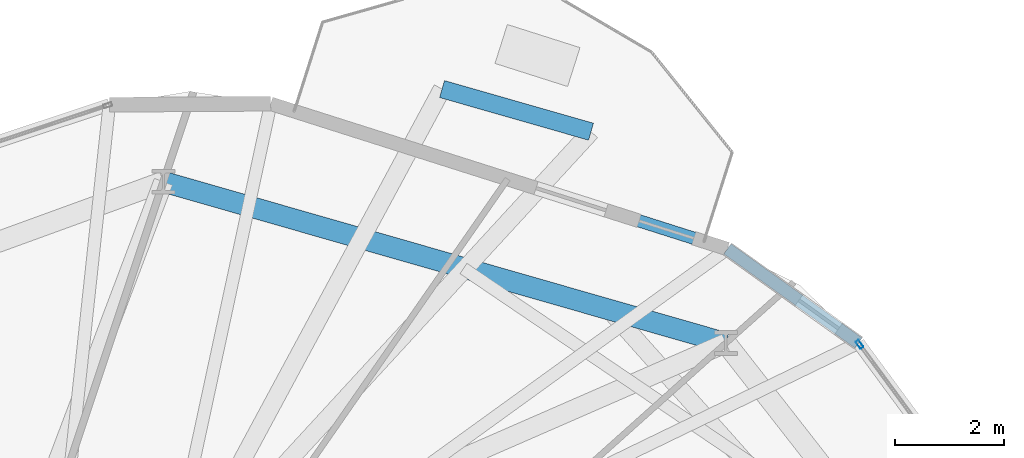
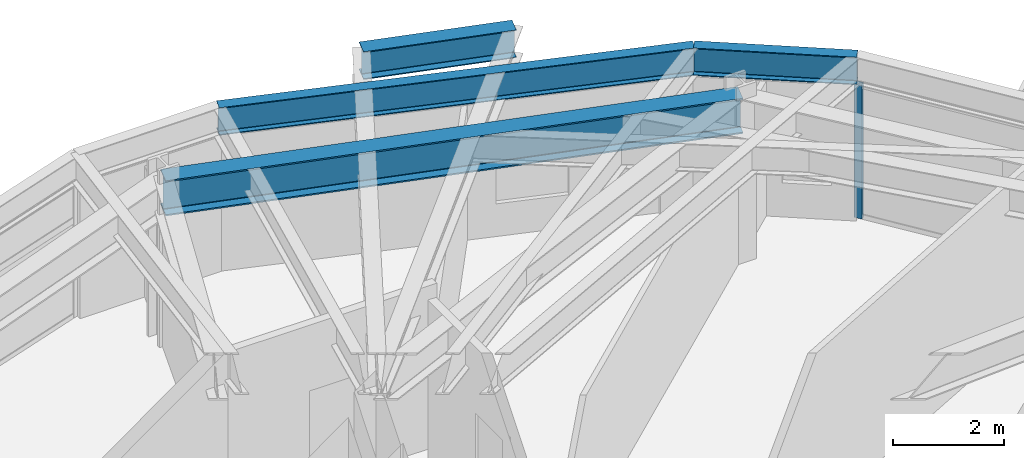
# One storey, part 19 of 27: 4 beams, 1 member, 1 element without a shape of its own.
"""IFC4 building model written with IfcOpenShell, lengths in metres."""

from ifc_helpers import new_model, si_unit, direction, frame, origin, origin_2d, place, context, subcontext, project, spatial, hollow_rectangle, i_section, extrude, material, layer, layer_set, material_profile, profile_set, type_object, element, aggregate, save


model = new_model("IFC4")

# Units and contexts
model_context = context("Model", 3, precision=1e-05, world=origin(), true_north=direction((0.0, 1.0)))
body_context = subcontext(model_context, "Body", "Model", "MODEL_VIEW")
ifc_project = project(units=[si_unit("LENGTHUNIT", "METRE"), si_unit("AREAUNIT", "SQUARE_METRE"), si_unit("VOLUMEUNIT", "CUBIC_METRE"), si_unit("PLANEANGLEUNIT", "RADIAN"), si_unit("MASSUNIT", "GRAM", prefix="KILO")], contexts=[model_context])

# Site, building, storey
site_placement = place(None, origin())
site = spatial("IfcSite", under=ifc_project, at=site_placement, CompositionType="ELEMENT")
building_placement = place(site_placement, origin())
building = spatial("IfcBuilding", under=site, at=building_placement, Name="Soratama Intermodal Tower", CompositionType="ELEMENT")
storey_placement = place(building_placement, frame((0.0, 0.0, 99.10009765625)))
storey = spatial("IfcBuildingStorey", under=building, at=storey_placement, Name="L23", CompositionType="ELEMENT", Elevation=99.10009765625)

# Beams
ifc_material_1 = material(Name="Structural steel ASTM A992 Grade 50", Category="steel")
ifc_material_profile_1 = material_profile(ifc_material_1, i_section(OverallWidth=0.324951171875, OverallDepth=0.615966796875, WebThickness=0.013916015625, FlangeThickness=0.021484375, FilletRadius=0.013916015625, at=origin_2d()), Name="W24X117")
ifc_profile_set_1 = profile_set([ifc_material_profile_1], Name="Structural steel ASTM A992 Grade 50")
beam_type_1 = type_object("IfcBeamType", Name="BM-CANT-W24X117", PredefinedType="BEAM", material=ifc_profile_set_1)
beam_1_placement = place(storey_placement, frame((52.2509765625, 43.30908203125, 3.2919921875), z_axis=(-0.961345773708, 0.275343972828, 0.0), x_axis=(-0.275343972828, -0.961345773708, 0.0)))
element("IfcBeam", 1, at=beam_1_placement, inside=storey, type_object=beam_type_1, Name="BM-L23-CBHDR-2", PredefinedType="BEAM", context=body_context, shape_type="SweptSolid", body=[
    extrude(i_section(OverallWidth=0.324951171875, OverallDepth=0.615966796875, WebThickness=0.013916015625, FlangeThickness=0.021484375, FilletRadius=0.013916015625, at=origin_2d()), origin(), (0.0, 0.0, 1.0), 2.84716796875),
])
ifc_material_2 = material(Name="Structural steel ASTM A992 Grade 50", Category="steel")
ifc_material_profile_2 = material_profile(ifc_material_2, i_section(OverallWidth=0.382080078125, OverallDepth=0.779052734375, WebThickness=0.01806640625, FlangeThickness=0.030029296875, FilletRadius=0.01806640625, at=origin_2d()), Name="W30X191")
ifc_profile_set_2 = profile_set([ifc_material_profile_2], Name="Structural steel ASTM A992 Grade 50")
beam_type_2 = type_object("IfcBeamType", Name="BM-RING-W30X191", PredefinedType="BEAM", material=ifc_profile_set_2)
beam_2_placement = place(storey_placement, frame((54.72998046875, 39.425048828125, 3.21044921875), z_axis=(-0.961266505995, 0.275620580604, 0.0), x_axis=(-0.275620580604, -0.961266505995, 0.0)))
element("IfcBeam", 2, at=beam_2_placement, inside=storey, type_object=beam_type_2, Name="BM-L23-RING-02", PredefinedType="BEAM", context=body_context, shape_type="SweptSolid", body=[
    extrude(i_section(OverallWidth=0.382080078125, OverallDepth=0.779052734375, WebThickness=0.01806640625, FlangeThickness=0.030029296875, FilletRadius=0.01806640625, at=origin_2d()), origin(), (0.0, 0.0, 1.0), 10.75341796875),
])
ifc_material_3 = material(Name="Structural steel ASTM A992 Grade 50", Category="steel")
ifc_material_profile_3 = material_profile(ifc_material_3, i_section(OverallWidth=0.22900390625, OverallDepth=0.612060546875, WebThickness=0.011962890625, FlangeThickness=0.01953125, FilletRadius=0.012939453125, at=origin_2d()), Name="W24X84")
ifc_profile_set_3 = profile_set([ifc_material_profile_3], Name="Structural steel ASTM A992 Grade 50")
beam_type_3 = type_object("IfcBeamType", Name="BM-SPN-W24X84", PredefinedType="SPANDREL", material=ifc_profile_set_3)
beam_3_placement = place(storey_placement, frame((57.16796875, 39.426025390625, 3.2939453125), z_axis=(-0.812513671517, 0.582942135719, 0.0), x_axis=(-0.582942135719, -0.812513671517, 0.0)))
element("IfcBeam", 3, at=beam_3_placement, inside=storey, type_object=beam_type_3, Name="BS-L23-CRN01", PredefinedType="SPANDREL", context=body_context, shape_type="SweptSolid", body=[
    extrude(i_section(OverallWidth=0.22900390625, OverallDepth=0.612060546875, WebThickness=0.011962890625, FlangeThickness=0.01953125, FilletRadius=0.012939453125, at=origin_2d()), origin(), (0.0, 0.0, 1.0), 2.966064453125),
])
beam_4_placement = place(storey_placement, frame((54.758056640625, 41.155029296875, 3.2939453125), z_axis=(-0.953009480265, 0.302940473568, 0.0), x_axis=(-0.302940473568, -0.953009480265, 0.0)))
element("IfcBeam", 4, at=beam_4_placement, inside=storey, type_object=beam_type_3, Name="BS-L23-F02", PredefinedType="SPANDREL", context=body_context, shape_type="SweptSolid", body=[
    extrude(i_section(OverallWidth=0.22900390625, OverallDepth=0.612060546875, WebThickness=0.011962890625, FlangeThickness=0.01953125, FilletRadius=0.012939453125, at=origin_2d()), origin(), (0.0, 0.0, 1.0), 8.806884765625),
])

# Curtain wall, member
ifc_material_4 = material(Name="Double-glazed aluminium curtain wall", Category="aluminium")
ifc_layer = layer(ifc_material_4, 0.159912109375)
ifc_layer_set = layer_set([ifc_layer], Name="Double-glazed aluminium curtain wall")
curtain_wall_type = type_object("IfcCurtainWallType", Name="CW-SYS-3", PredefinedType="NOTDEFINED", material=ifc_layer_set)
curtain_wall_placement = place(storey_placement, origin())
curtain_wall = element("IfcCurtainWall", 5, at=curtain_wall_placement, inside=storey, type_object=curtain_wall_type, Name="L23 Faceted Curtain Wall F01", PredefinedType="NOTDEFINED")
ifc_material_5 = material(Name="Anodised aluminium AA 6063-T6", Category="aluminium")
ifc_material_profile_4 = material_profile(ifc_material_5, hollow_rectangle(XDim=0.070068359375, YDim=0.159912109375, WallThickness=0.0048828125, InnerFilletRadius=0.0048828125, OuterFilletRadius=0.010009765625, at=origin_2d()), Name="CWM160X70X5")
ifc_profile_set_4 = profile_set([ifc_material_profile_4], Name="Anodised aluminium AA 6063-T6")
member_type = type_object("IfcMemberType", Name="MT-CWM-3", PredefinedType="MULLION", material=ifc_profile_set_4)
member_placement = place(storey_placement, frame((57.186279296875, 39.40185546875, 0.0), z_axis=(0.0, 0.0, 1.0), x_axis=(-0.805309777215, -0.592854250826, 0.0)))
member = element("IfcMember", 6, at=member_placement, type_object=member_type, Name="CW-3 mullion 3", PredefinedType="MULLION", context=body_context, shape_type="SweptSolid", body=[
    extrude(hollow_rectangle(XDim=0.070068359375, YDim=0.159912109375, WallThickness=0.0048828125, InnerFilletRadius=0.0048828125, OuterFilletRadius=0.010009765625, at=origin_2d()), origin(), (0.0, 0.0, 1.0), 2.97900390625),
])
aggregate(curtain_wall, [member])

save(model, "model.ifc")
